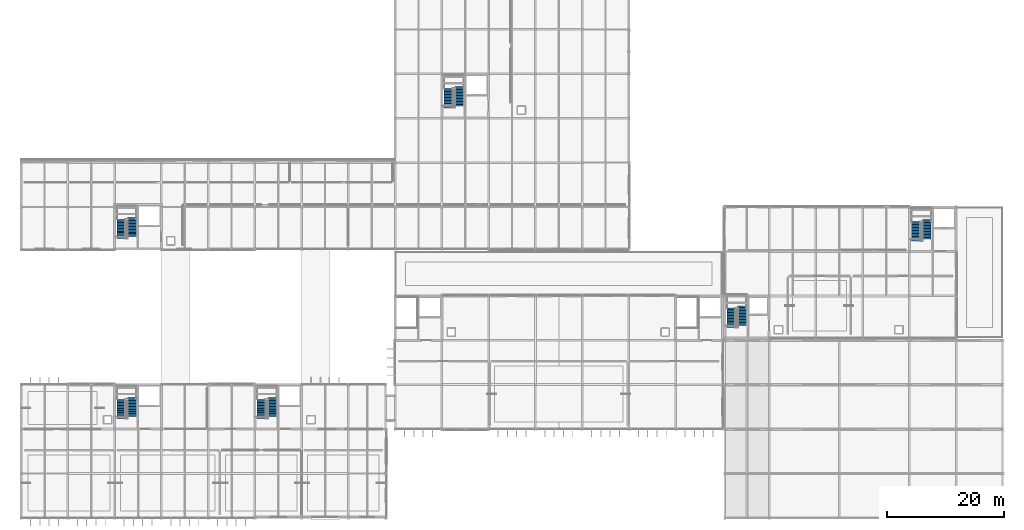
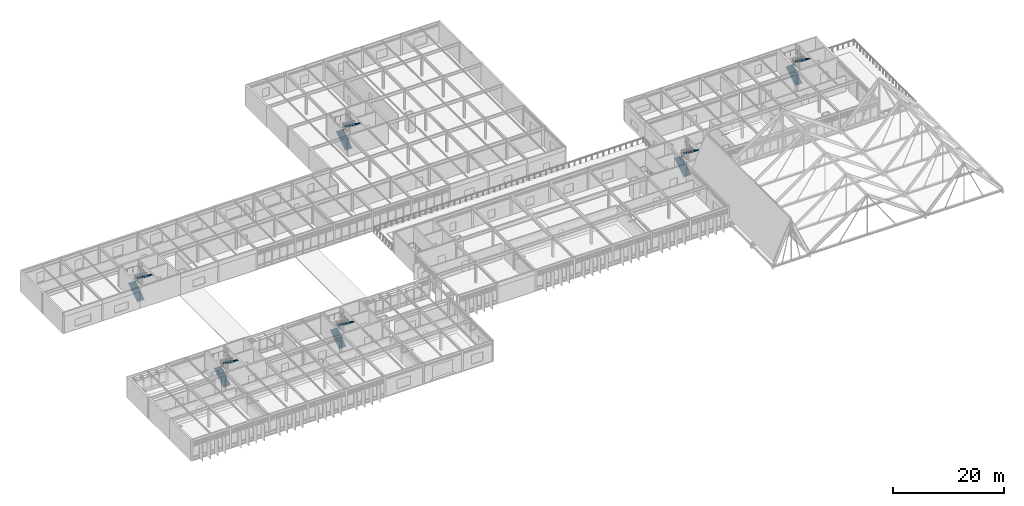
# One storey, part 89 of 100: 12 stair flights, 6 elements without a shape of their own.
"""IFC4 building model written with IfcOpenShell, lengths in metres."""

import ifcopenshell
import ifcopenshell.guid

model = None  # the IFC model being written
_history = None  # IfcOwnerHistory: only IFC2X3 demands one
_inside = {}  # id of a spatial element -> (the spatial element, [elements in it])
_under = {}  # id of a project, library or spatial element -> (it, [spatial elements below it])
_declared = {}  # id of a project -> (the project, [libraries it declares])
_typed = {}  # id of a type object -> (the type object, [elements of that type])
_made_of = {}  # id of a material, layer set ... -> (it, [elements and type objects made of it])


def new_model(schema):
    """Start an empty IFC model of exactly this schema.

    Asked for "IFC4X3", IfcOpenShell would pick the latest addendum, in which some entities
    have other attributes; the version numbers below select the first issue.
    IFC2X3 requires an IfcOwnerHistory on every rooted entity: one is made here for all.
    """
    global model, _history
    if schema == "IFC4X3":
        model = ifcopenshell.file(schema_version=(4, 3, 0, 0))
    else:
        model = ifcopenshell.file(schema=schema)
    _inside.clear()
    _under.clear()
    _declared.clear()
    _typed.clear()
    _made_of.clear()
    _history = None
    if model.schema == "IFC2X3":
        org = make("IfcOrganization", Name="unknown")
        user = make(
            "IfcPersonAndOrganization",
            ThePerson=make("IfcPerson", FamilyName="unknown"),
            TheOrganization=org,
        )
        app = make(
            "IfcApplication",
            ApplicationDeveloper=org,
            Version="unknown",
            ApplicationFullName="unknown",
            ApplicationIdentifier="unknown",
        )
        _history = make(
            "IfcOwnerHistory",
            OwningUser=user,
            OwningApplication=app,
            ChangeAction="ADDED",
            CreationDate=0,
        )
    return model


def make(cls, **values):
    """One entity of the class cls with the attributes given. An attribute that is None is left unset."""
    return model.create_entity(
        cls, **{name: value for name, value in values.items() if value is not None}
    )


def rooted(cls, **values):
    """An entity with a GlobalId (a new one), such as an element, a storey or a relation."""
    return make(cls, GlobalId=ifcopenshell.guid.new(), OwnerHistory=_history, **values)


def si_unit(unit_type, name, prefix=None):
    """IfcSIUnit, for example si_unit("LENGTHUNIT", "METRE", prefix="MILLI")."""
    return make("IfcSIUnit", UnitType=unit_type, Prefix=prefix, Name=name)


def assignment(units):
    """IfcUnitAssignment: the units of a project."""
    return None if units is None else make("IfcUnitAssignment", Units=units)


def point(xyz):
    """IfcCartesianPoint."""
    return None if xyz is None else make("IfcCartesianPoint", Coordinates=xyz)


def direction(xyz):
    """IfcDirection."""
    return None if xyz is None else make("IfcDirection", DirectionRatios=xyz)


def frame(location, z_axis=None, x_axis=None):
    """IfcAxis2Placement3D, a coordinate frame: its origin and axes. An axis left out is left unset."""
    return make(
        "IfcAxis2Placement3D",
        Location=point(location),
        Axis=direction(z_axis),
        RefDirection=direction(x_axis),
    )


def origin():
    """The frame at (0, 0, 0) with its axes left unset."""
    return frame((0.0, 0.0, 0.0))


def place(relative_to, where):
    """IfcLocalPlacement: puts the frame where relative to a parent placement (None: the world)."""
    return make(
        "IfcLocalPlacement", PlacementRelTo=relative_to, RelativePlacement=where
    )


def context(
    kind, dimensions, precision=None, world=None, true_north=None, identifier=None
):
    """IfcGeometricRepresentationContext, for example the 3D "Model" context."""
    return make(
        "IfcGeometricRepresentationContext",
        ContextIdentifier=identifier,
        ContextType=kind,
        CoordinateSpaceDimension=dimensions,
        Precision=precision,
        WorldCoordinateSystem=world,
        TrueNorth=true_north,
    )


def subcontext(parent, identifier, kind, view, scale=None):
    """IfcGeometricRepresentationSubContext, for example "Body" below "Model"."""
    return make(
        "IfcGeometricRepresentationSubContext",
        ContextIdentifier=identifier,
        ContextType=kind,
        ParentContext=parent,
        TargetScale=scale,
        TargetView=view,
    )


def project(units=None, contexts=None):
    """IfcProject with its units and contexts."""
    return rooted(
        "IfcProject",
        Name="project",
        RepresentationContexts=contexts,
        UnitsInContext=assignment(units),
    )


def spatial(cls, under=None, at=None, **own):
    """A site, building, storey or space (cls), placed at a placement, below another one or the project."""
    s = rooted(cls, ObjectPlacement=at, **own)
    if under is not None:
        _under.setdefault(under.id(), (under, []))[1].append(s)
    return s


def polyline(points):
    """IfcPolyline through the points."""
    return make("IfcPolyline", Points=[point(p) for p in points])


def outline(outer, holes=None, kind="AREA"):
    """IfcArbitraryClosedProfileDef: a profile drawn as a closed curve; with holes, ...WithVoids."""
    if holes is None:
        return make("IfcArbitraryClosedProfileDef", ProfileType=kind, OuterCurve=outer)
    return make(
        "IfcArbitraryProfileDefWithVoids",
        ProfileType=kind,
        OuterCurve=outer,
        InnerCurves=holes,
    )


def extrude(swept, where, along, depth):
    """IfcExtrudedAreaSolid: the profile swept, set in the frame where, extruded along a direction by depth."""
    return make(
        "IfcExtrudedAreaSolid",
        SweptArea=swept,
        Position=where,
        ExtrudedDirection=direction(along),
        Depth=depth,
    )


def shape(context_of_items, identifier, shape_type, items):
    """IfcShapeRepresentation: the items that make up one representation, for example the "Body"."""
    return make(
        "IfcShapeRepresentation",
        ContextOfItems=context_of_items,
        RepresentationIdentifier=identifier,
        RepresentationType=shape_type,
        Items=items,
    )


def material(Name=None, Category=None):
    """IfcMaterial."""
    return make("IfcMaterial", Name=Name, Category=Category)


def made_of(thing, what):
    """Note that an element or type object is made of a material, layer set ...; save() writes the relation."""
    if what is not None:
        _made_of.setdefault(what.id(), (what, []))[1].append(thing)
    return thing


def type_object(cls, material=None, **own):
    """A type object (cls), such as IfcWallType, which elements share."""
    return made_of(rooted(cls, **own), material)


def element(
    cls,
    number,
    at=None,
    inside=None,
    cuts=None,
    type_object=None,
    material=None,
    context=None,
    identifier="Body",
    shape_type=None,
    held_by="IfcProductDefinitionShape",
    body=None,
    shapes=None,
    **own,
):
    """One element of the class cls, such as IfcWall. Its Tag is "e" and its number.

    at: its placement. inside: the storey or other place that contains it. cuts: it is an
    opening in that element (IfcRelVoidsElement). A single representation is given by context,
    identifier, shape_type and body (its items); several are given by shapes. held_by: the class
    of the entity that holds the representations. save() writes the other relations.
    """
    e = rooted(cls, Tag="e%d" % number, ObjectPlacement=at, **own)
    if body is not None:
        shapes = [shape(context, identifier, shape_type, body)]
    if shapes is not None:
        e.Representation = make(held_by, Representations=shapes)
    if inside is not None:
        _inside.setdefault(inside.id(), (inside, []))[1].append(e)
    if cuts is not None:
        rooted(
            "IfcRelVoidsElement", RelatingBuildingElement=cuts, RelatedOpeningElement=e
        )
    if type_object is not None:
        _typed.setdefault(type_object.id(), (type_object, []))[1].append(e)
    return made_of(e, material)


def aggregate(whole, parts):
    """IfcRelAggregates: a whole, such as a stair, and the parts it consists of."""
    return rooted("IfcRelAggregates", RelatingObject=whole, RelatedObjects=parts)


def save(model, path):
    """Write the relations noted so far, then the file.

    IfcRelAggregates (storeys below a building ...), IfcRelContainedInSpatialStructure (elements
    in a storey), IfcRelDefinesByType, IfcRelAssociatesMaterial and IfcRelDeclares: one each for
    every whole, place, type object, material and project.
    """
    for whole, parts in _under.values():
        aggregate(whole, parts)
    for where, things in _inside.values():
        rooted(
            "IfcRelContainedInSpatialStructure",
            RelatedElements=things,
            RelatingStructure=where,
        )
    for kind, things in _typed.values():
        rooted("IfcRelDefinesByType", RelatedObjects=things, RelatingType=kind)
    for what, things in _made_of.values():
        rooted("IfcRelAssociatesMaterial", RelatedObjects=things, RelatingMaterial=what)
    for by, libraries in _declared.values():
        rooted("IfcRelDeclares", RelatingContext=by, RelatedDefinitions=libraries)
    model.write(path)


model = new_model("IFC4")

# Units and contexts
model_context = context("Model", 3, precision=1e-05, world=origin(), true_north=direction((0.0, 1.0)))
body_context = subcontext(model_context, "Body", "Model", "MODEL_VIEW")
ifc_project = project(units=[si_unit("LENGTHUNIT", "METRE"), si_unit("AREAUNIT", "SQUARE_METRE"), si_unit("VOLUMEUNIT", "CUBIC_METRE"), si_unit("PLANEANGLEUNIT", "RADIAN"), si_unit("MASSUNIT", "GRAM", prefix="KILO")], contexts=[model_context])

# Site, building, storey
site_placement = place(None, origin())
site = spatial("IfcSite", under=ifc_project, at=site_placement, CompositionType="ELEMENT")
building_placement = place(site_placement, origin())
building = spatial("IfcBuilding", under=site, at=building_placement, Name="Zulena Civic Courthouse", CompositionType="ELEMENT")
storey_placement = place(building_placement, frame((0.0, 0.0, 20.39990234375)))
storey = spatial("IfcBuildingStorey", under=building, at=storey_placement, Name="L04", CompositionType="ELEMENT", Elevation=20.39990234375)

# Stair, stair flights
ifc_material = material(Name="Precast concrete C40/50", Category="concrete")
stair_type = type_object("IfcStairType", Name="HalfTurnStair_4800", PredefinedType="HALF_TURN_STAIR", material=ifc_material)
stair_1_placement = place(storey_placement, origin())
stair_1 = element("IfcStair", 1, at=stair_1_placement, inside=storey, type_object=stair_type, Name="stair:K2A:L04", PredefinedType="HALF_TURN_STAIR")
stair_flight_type = type_object("IfcStairFlightType", Name="StairFlight_4800", PredefinedType="STRAIGHT", material=ifc_material)
stair_flight_1_placement = place(storey_placement, frame((21.1298828125, 16.97998046875, 0.0), z_axis=(0.0, 0.0, 1.0), x_axis=(0.0, 1.0, 0.0)))
stair_flight_1 = element("IfcStairFlight", 2, at=stair_flight_1_placement, type_object=stair_flight_type, Name="stair:K2A:L04:F1", NumberOfRisers=14, NumberOfTreads=13, PredefinedType="STRAIGHT", RiserHeight=0.17143, TreadLength=0.255, context=body_context, shape_type="SweptSolid", body=[
    extrude(outline(polyline([(0.0, 0.0), (0.0, 0.17138671875), (0.2548828125, 0.17138671875), (0.2548828125, 0.3427734375), (0.510009765625, 0.3427734375), (0.510009765625, 0.514404296875), (0.764892578125, 0.514404296875), (0.764892578125, 0.685791015625), (1.02001953125, 0.685791015625), (1.02001953125, 0.857177734375), (1.27490234375, 0.857177734375), (1.27490234375, 1.028564453125), (1.530029296875, 1.028564453125), (1.530029296875, 1.199951171875), (1.784912109375, 1.199951171875), (1.784912109375, 1.371337890625), (2.0400390625, 1.371337890625), (2.0400390625, 1.54296875), (2.294921875, 1.54296875), (2.294921875, 1.71435546875), (2.550048828125, 1.71435546875), (2.550048828125, 1.8857421875), (2.804931640625, 1.8857421875), (2.804931640625, 2.05712890625), (3.06005859375, 2.05712890625), (3.06005859375, 2.228515625), (3.31494140625, 2.228515625), (3.31494140625, 2.39990234375), (3.31494140625, 2.10205078125), (0.188232421875, 0.0), (0.0, 0.0)])), frame((0.0, 0.75, 0.0), z_axis=(0.0, -1.0, 0.0), x_axis=(1.0, 0.0, 0.0)), (0.0, 0.0, 1.0), 1.5),
])
stair_flight_2_placement = place(storey_placement, frame((22.969970703125, 20.634765625, 2.400146484375), z_axis=(0.0, 0.0, 1.0), x_axis=(0.0, -1.0, 0.0)))
stair_flight_2 = element("IfcStairFlight", 3, at=stair_flight_2_placement, type_object=stair_flight_type, Name="stair:K2A:L04:F2", NumberOfRisers=14, NumberOfTreads=13, PredefinedType="STRAIGHT", RiserHeight=0.17143, TreadLength=0.255, context=body_context, shape_type="SweptSolid", body=[
    extrude(outline(polyline([(0.0, 0.0), (0.0, 0.17138671875), (0.2548828125, 0.17138671875), (0.2548828125, 0.3427734375), (0.510009765625, 0.3427734375), (0.510009765625, 0.514404296875), (0.764892578125, 0.514404296875), (0.764892578125, 0.685791015625), (1.02001953125, 0.685791015625), (1.02001953125, 0.857177734375), (1.27490234375, 0.857177734375), (1.27490234375, 1.028564453125), (1.530029296875, 1.028564453125), (1.530029296875, 1.199951171875), (1.784912109375, 1.199951171875), (1.784912109375, 1.371337890625), (2.0400390625, 1.371337890625), (2.0400390625, 1.54296875), (2.294921875, 1.54296875), (2.294921875, 1.71435546875), (2.550048828125, 1.71435546875), (2.550048828125, 1.8857421875), (2.804931640625, 1.8857421875), (2.804931640625, 2.05712890625), (3.06005859375, 2.05712890625), (3.06005859375, 2.228515625), (3.31494140625, 2.228515625), (3.31494140625, 2.39990234375), (3.31494140625, 2.10205078125), (0.188232421875, 0.0), (0.0, 0.0)])), frame((0.0, 0.75, 0.0), z_axis=(0.0, -1.0, 0.0), x_axis=(1.0, 0.0, 0.0)), (0.0, 0.0, 1.0), 1.5),
])
aggregate(stair_1, [stair_flight_1, stair_flight_2])

stair_2_placement = place(storey_placement, origin())
stair_2 = element("IfcStair", 4, at=stair_2_placement, inside=storey, type_object=stair_type, Name="stair:K2B:L04", PredefinedType="HALF_TURN_STAIR")
stair_flight_3_placement = place(storey_placement, frame((45.1298828125, 16.97998046875, 0.0), z_axis=(0.0, 0.0, 1.0), x_axis=(0.0, 1.0, 0.0)))
stair_flight_3 = element("IfcStairFlight", 5, at=stair_flight_3_placement, type_object=stair_flight_type, Name="stair:K2B:L04:F1", NumberOfRisers=14, NumberOfTreads=13, PredefinedType="STRAIGHT", RiserHeight=0.17143, TreadLength=0.255, context=body_context, shape_type="SweptSolid", body=[
    extrude(outline(polyline([(0.0, 0.0), (0.0, 0.17138671875), (0.2548828125, 0.17138671875), (0.2548828125, 0.3427734375), (0.510009765625, 0.3427734375), (0.510009765625, 0.514404296875), (0.764892578125, 0.514404296875), (0.764892578125, 0.685791015625), (1.02001953125, 0.685791015625), (1.02001953125, 0.857177734375), (1.27490234375, 0.857177734375), (1.27490234375, 1.028564453125), (1.530029296875, 1.028564453125), (1.530029296875, 1.199951171875), (1.784912109375, 1.199951171875), (1.784912109375, 1.371337890625), (2.0400390625, 1.371337890625), (2.0400390625, 1.54296875), (2.294921875, 1.54296875), (2.294921875, 1.71435546875), (2.550048828125, 1.71435546875), (2.550048828125, 1.8857421875), (2.804931640625, 1.8857421875), (2.804931640625, 2.05712890625), (3.06005859375, 2.05712890625), (3.06005859375, 2.228515625), (3.31494140625, 2.228515625), (3.31494140625, 2.39990234375), (3.31494140625, 2.10205078125), (0.188232421875, 0.0), (0.0, 0.0)])), frame((0.0, 0.75, 0.0), z_axis=(0.0, -1.0, 0.0), x_axis=(1.0, 0.0, 0.0)), (0.0, 0.0, 1.0), 1.5),
])
stair_flight_4_placement = place(storey_placement, frame((46.969970703125, 20.634765625, 2.400146484375), z_axis=(0.0, 0.0, 1.0), x_axis=(0.0, -1.0, 0.0)))
stair_flight_4 = element("IfcStairFlight", 6, at=stair_flight_4_placement, type_object=stair_flight_type, Name="stair:K2B:L04:F2", NumberOfRisers=14, NumberOfTreads=13, PredefinedType="STRAIGHT", RiserHeight=0.17143, TreadLength=0.255, context=body_context, shape_type="SweptSolid", body=[
    extrude(outline(polyline([(0.0, 0.0), (0.0, 0.17138671875), (0.2548828125, 0.17138671875), (0.2548828125, 0.3427734375), (0.510009765625, 0.3427734375), (0.510009765625, 0.514404296875), (0.764892578125, 0.514404296875), (0.764892578125, 0.685791015625), (1.02001953125, 0.685791015625), (1.02001953125, 0.857177734375), (1.27490234375, 0.857177734375), (1.27490234375, 1.028564453125), (1.530029296875, 1.028564453125), (1.530029296875, 1.199951171875), (1.784912109375, 1.199951171875), (1.784912109375, 1.371337890625), (2.0400390625, 1.371337890625), (2.0400390625, 1.54296875), (2.294921875, 1.54296875), (2.294921875, 1.71435546875), (2.550048828125, 1.71435546875), (2.550048828125, 1.8857421875), (2.804931640625, 1.8857421875), (2.804931640625, 2.05712890625), (3.06005859375, 2.05712890625), (3.06005859375, 2.228515625), (3.31494140625, 2.228515625), (3.31494140625, 2.39990234375), (3.31494140625, 2.10205078125), (0.188232421875, 0.0), (0.0, 0.0)])), frame((0.0, 0.75, 0.0), z_axis=(0.0, -1.0, 0.0), x_axis=(1.0, 0.0, 0.0)), (0.0, 0.0, 1.0), 1.5),
])
aggregate(stair_2, [stair_flight_3, stair_flight_4])

stair_3_placement = place(storey_placement, origin())
stair_3 = element("IfcStair", 7, at=stair_3_placement, inside=storey, type_object=stair_type, Name="stair:K3A:L04", PredefinedType="HALF_TURN_STAIR")
stair_flight_5_placement = place(storey_placement, frame((125.530029296875, 32.580078125, 0.0), z_axis=(0.0, 0.0, 1.0), x_axis=(0.0, 1.0, 0.0)))
stair_flight_5 = element("IfcStairFlight", 8, at=stair_flight_5_placement, type_object=stair_flight_type, Name="stair:K3A:L04:F1", NumberOfRisers=14, NumberOfTreads=13, PredefinedType="STRAIGHT", RiserHeight=0.17143, TreadLength=0.255, context=body_context, shape_type="SweptSolid", body=[
    extrude(outline(polyline([(0.0, 0.0), (0.0, 0.17138671875), (0.2548828125, 0.17138671875), (0.2548828125, 0.3427734375), (0.510009765625, 0.3427734375), (0.510009765625, 0.514404296875), (0.764892578125, 0.514404296875), (0.764892578125, 0.685791015625), (1.02001953125, 0.685791015625), (1.02001953125, 0.857177734375), (1.27490234375, 0.857177734375), (1.27490234375, 1.028564453125), (1.530029296875, 1.028564453125), (1.530029296875, 1.199951171875), (1.784912109375, 1.199951171875), (1.784912109375, 1.371337890625), (2.0400390625, 1.371337890625), (2.0400390625, 1.54296875), (2.294921875, 1.54296875), (2.294921875, 1.71435546875), (2.550048828125, 1.71435546875), (2.550048828125, 1.8857421875), (2.804931640625, 1.8857421875), (2.804931640625, 2.05712890625), (3.06005859375, 2.05712890625), (3.06005859375, 2.228515625), (3.31494140625, 2.228515625), (3.31494140625, 2.39990234375), (3.31494140625, 2.10205078125), (0.188232421875, 0.0), (0.0, 0.0)])), frame((0.0, 0.75, 0.0), z_axis=(0.0, -1.0, 0.0), x_axis=(1.0, 0.0, 0.0)), (0.0, 0.0, 1.0), 1.5),
])
stair_flight_6_placement = place(storey_placement, frame((127.3701171875, 36.234619140625, 2.400146484375), z_axis=(0.0, 0.0, 1.0), x_axis=(0.0, -1.0, 0.0)))
stair_flight_6 = element("IfcStairFlight", 9, at=stair_flight_6_placement, type_object=stair_flight_type, Name="stair:K3A:L04:F2", NumberOfRisers=14, NumberOfTreads=13, PredefinedType="STRAIGHT", RiserHeight=0.17143, TreadLength=0.255, context=body_context, shape_type="SweptSolid", body=[
    extrude(outline(polyline([(0.0, 0.0), (0.0, 0.17138671875), (0.2548828125, 0.17138671875), (0.2548828125, 0.3427734375), (0.510009765625, 0.3427734375), (0.510009765625, 0.514404296875), (0.764892578125, 0.514404296875), (0.764892578125, 0.685791015625), (1.02001953125, 0.685791015625), (1.02001953125, 0.857177734375), (1.27490234375, 0.857177734375), (1.27490234375, 1.028564453125), (1.530029296875, 1.028564453125), (1.530029296875, 1.199951171875), (1.784912109375, 1.199951171875), (1.784912109375, 1.371337890625), (2.0400390625, 1.371337890625), (2.0400390625, 1.54296875), (2.294921875, 1.54296875), (2.294921875, 1.71435546875), (2.550048828125, 1.71435546875), (2.550048828125, 1.8857421875), (2.804931640625, 1.8857421875), (2.804931640625, 2.05712890625), (3.06005859375, 2.05712890625), (3.06005859375, 2.228515625), (3.31494140625, 2.228515625), (3.31494140625, 2.39990234375), (3.31494140625, 2.10205078125), (0.188232421875, 0.0), (0.0, 0.0)])), frame((0.0, 0.75, 0.0), z_axis=(0.0, -1.0, 0.0), x_axis=(1.0, 0.0, 0.0)), (0.0, 0.0, 1.0), 1.5),
])
aggregate(stair_3, [stair_flight_5, stair_flight_6])

stair_4_placement = place(storey_placement, origin())
stair_4 = element("IfcStair", 10, at=stair_4_placement, inside=storey, type_object=stair_type, Name="stair:K3B:L04", PredefinedType="HALF_TURN_STAIR")
stair_flight_7_placement = place(storey_placement, frame((157.1298828125, 47.3798828125, 0.0), z_axis=(0.0, 0.0, 1.0), x_axis=(0.0, 1.0, 0.0)))
stair_flight_7 = element("IfcStairFlight", 11, at=stair_flight_7_placement, type_object=stair_flight_type, Name="stair:K3B:L04:F1", NumberOfRisers=14, NumberOfTreads=13, PredefinedType="STRAIGHT", RiserHeight=0.17143, TreadLength=0.255, context=body_context, shape_type="SweptSolid", body=[
    extrude(outline(polyline([(0.0, 0.0), (0.0, 0.17138671875), (0.2548828125, 0.17138671875), (0.2548828125, 0.3427734375), (0.510009765625, 0.3427734375), (0.510009765625, 0.514404296875), (0.764892578125, 0.514404296875), (0.764892578125, 0.685791015625), (1.02001953125, 0.685791015625), (1.02001953125, 0.857177734375), (1.27490234375, 0.857177734375), (1.27490234375, 1.028564453125), (1.530029296875, 1.028564453125), (1.530029296875, 1.199951171875), (1.784912109375, 1.199951171875), (1.784912109375, 1.371337890625), (2.0400390625, 1.371337890625), (2.0400390625, 1.54296875), (2.294921875, 1.54296875), (2.294921875, 1.71435546875), (2.550048828125, 1.71435546875), (2.550048828125, 1.8857421875), (2.804931640625, 1.8857421875), (2.804931640625, 2.05712890625), (3.06005859375, 2.05712890625), (3.06005859375, 2.228515625), (3.31494140625, 2.228515625), (3.31494140625, 2.39990234375), (3.31494140625, 2.10205078125), (0.188232421875, 0.0), (0.0, 0.0)])), frame((0.0, 0.75, 0.0), z_axis=(0.0, -1.0, 0.0), x_axis=(1.0, 0.0, 0.0)), (0.0, 0.0, 1.0), 1.5),
])
stair_flight_8_placement = place(storey_placement, frame((158.969970703125, 51.03466796875, 2.400146484375), z_axis=(0.0, 0.0, 1.0), x_axis=(0.0, -1.0, 0.0)))
stair_flight_8 = element("IfcStairFlight", 12, at=stair_flight_8_placement, type_object=stair_flight_type, Name="stair:K3B:L04:F2", NumberOfRisers=14, NumberOfTreads=13, PredefinedType="STRAIGHT", RiserHeight=0.17143, TreadLength=0.255, context=body_context, shape_type="SweptSolid", body=[
    extrude(outline(polyline([(0.0, 0.0), (0.0, 0.17138671875), (0.2548828125, 0.17138671875), (0.2548828125, 0.3427734375), (0.510009765625, 0.3427734375), (0.510009765625, 0.514404296875), (0.764892578125, 0.514404296875), (0.764892578125, 0.685791015625), (1.02001953125, 0.685791015625), (1.02001953125, 0.857177734375), (1.27490234375, 0.857177734375), (1.27490234375, 1.028564453125), (1.530029296875, 1.028564453125), (1.530029296875, 1.199951171875), (1.784912109375, 1.199951171875), (1.784912109375, 1.371337890625), (2.0400390625, 1.371337890625), (2.0400390625, 1.54296875), (2.294921875, 1.54296875), (2.294921875, 1.71435546875), (2.550048828125, 1.71435546875), (2.550048828125, 1.8857421875), (2.804931640625, 1.8857421875), (2.804931640625, 2.05712890625), (3.06005859375, 2.05712890625), (3.06005859375, 2.228515625), (3.31494140625, 2.228515625), (3.31494140625, 2.39990234375), (3.31494140625, 2.10205078125), (0.188232421875, 0.0), (0.0, 0.0)])), frame((0.0, 0.75, 0.0), z_axis=(0.0, -1.0, 0.0), x_axis=(1.0, 0.0, 0.0)), (0.0, 0.0, 1.0), 1.5),
])
aggregate(stair_4, [stair_flight_7, stair_flight_8])

stair_5_placement = place(storey_placement, origin())
stair_5 = element("IfcStair", 13, at=stair_5_placement, inside=storey, type_object=stair_type, Name="stair:K5A:L04", PredefinedType="HALF_TURN_STAIR")
stair_flight_9_placement = place(storey_placement, frame((21.1298828125, 47.780029296875, 0.0), z_axis=(0.0, 0.0, 1.0), x_axis=(0.0, 1.0, 0.0)))
stair_flight_9 = element("IfcStairFlight", 14, at=stair_flight_9_placement, type_object=stair_flight_type, Name="stair:K5A:L04:F1", NumberOfRisers=14, NumberOfTreads=13, PredefinedType="STRAIGHT", RiserHeight=0.17143, TreadLength=0.255, context=body_context, shape_type="SweptSolid", body=[
    extrude(outline(polyline([(0.0, 0.0), (0.0, 0.17138671875), (0.2548828125, 0.17138671875), (0.2548828125, 0.3427734375), (0.510009765625, 0.3427734375), (0.510009765625, 0.514404296875), (0.764892578125, 0.514404296875), (0.764892578125, 0.685791015625), (1.02001953125, 0.685791015625), (1.02001953125, 0.857177734375), (1.27490234375, 0.857177734375), (1.27490234375, 1.028564453125), (1.530029296875, 1.028564453125), (1.530029296875, 1.199951171875), (1.784912109375, 1.199951171875), (1.784912109375, 1.371337890625), (2.0400390625, 1.371337890625), (2.0400390625, 1.54296875), (2.294921875, 1.54296875), (2.294921875, 1.71435546875), (2.550048828125, 1.71435546875), (2.550048828125, 1.8857421875), (2.804931640625, 1.8857421875), (2.804931640625, 2.05712890625), (3.06005859375, 2.05712890625), (3.06005859375, 2.228515625), (3.31494140625, 2.228515625), (3.31494140625, 2.39990234375), (3.31494140625, 2.10205078125), (0.188232421875, 0.0), (0.0, 0.0)])), frame((0.0, 0.75, 0.0), z_axis=(0.0, -1.0, 0.0), x_axis=(1.0, 0.0, 0.0)), (0.0, 0.0, 1.0), 1.5),
])
stair_flight_10_placement = place(storey_placement, frame((22.969970703125, 51.434814453125, 2.400146484375), z_axis=(0.0, 0.0, 1.0), x_axis=(0.0, -1.0, 0.0)))
stair_flight_10 = element("IfcStairFlight", 15, at=stair_flight_10_placement, type_object=stair_flight_type, Name="stair:K5A:L04:F2", NumberOfRisers=14, NumberOfTreads=13, PredefinedType="STRAIGHT", RiserHeight=0.17143, TreadLength=0.255, context=body_context, shape_type="SweptSolid", body=[
    extrude(outline(polyline([(0.0, 0.0), (0.0, 0.17138671875), (0.2548828125, 0.17138671875), (0.2548828125, 0.3427734375), (0.510009765625, 0.3427734375), (0.510009765625, 0.514404296875), (0.764892578125, 0.514404296875), (0.764892578125, 0.685791015625), (1.02001953125, 0.685791015625), (1.02001953125, 0.857177734375), (1.27490234375, 0.857177734375), (1.27490234375, 1.028564453125), (1.530029296875, 1.028564453125), (1.530029296875, 1.199951171875), (1.784912109375, 1.199951171875), (1.784912109375, 1.371337890625), (2.0400390625, 1.371337890625), (2.0400390625, 1.54296875), (2.294921875, 1.54296875), (2.294921875, 1.71435546875), (2.550048828125, 1.71435546875), (2.550048828125, 1.8857421875), (2.804931640625, 1.8857421875), (2.804931640625, 2.05712890625), (3.06005859375, 2.05712890625), (3.06005859375, 2.228515625), (3.31494140625, 2.228515625), (3.31494140625, 2.39990234375), (3.31494140625, 2.10205078125), (0.188232421875, 0.0), (0.0, 0.0)])), frame((0.0, 0.75, 0.0), z_axis=(0.0, -1.0, 0.0), x_axis=(1.0, 0.0, 0.0)), (0.0, 0.0, 1.0), 1.5),
])
aggregate(stair_5, [stair_flight_9, stair_flight_10])

stair_6_placement = place(storey_placement, origin())
stair_6 = element("IfcStair", 16, at=stair_6_placement, inside=storey, type_object=stair_type, Name="stair:K5B:L04", PredefinedType="HALF_TURN_STAIR")
stair_flight_11_placement = place(storey_placement, frame((77.1298828125, 70.179931640625, 0.0), z_axis=(0.0, 0.0, 1.0), x_axis=(0.0, 1.0, 0.0)))
stair_flight_11 = element("IfcStairFlight", 17, at=stair_flight_11_placement, type_object=stair_flight_type, Name="stair:K5B:L04:F1", NumberOfRisers=14, NumberOfTreads=13, PredefinedType="STRAIGHT", RiserHeight=0.17143, TreadLength=0.255, context=body_context, shape_type="SweptSolid", body=[
    extrude(outline(polyline([(0.0, 0.0), (0.0, 0.17138671875), (0.2548828125, 0.17138671875), (0.2548828125, 0.3427734375), (0.510009765625, 0.3427734375), (0.510009765625, 0.514404296875), (0.764892578125, 0.514404296875), (0.764892578125, 0.685791015625), (1.02001953125, 0.685791015625), (1.02001953125, 0.857177734375), (1.27490234375, 0.857177734375), (1.27490234375, 1.028564453125), (1.530029296875, 1.028564453125), (1.530029296875, 1.199951171875), (1.784912109375, 1.199951171875), (1.784912109375, 1.371337890625), (2.0400390625, 1.371337890625), (2.0400390625, 1.54296875), (2.294921875, 1.54296875), (2.294921875, 1.71435546875), (2.550048828125, 1.71435546875), (2.550048828125, 1.8857421875), (2.804931640625, 1.8857421875), (2.804931640625, 2.05712890625), (3.06005859375, 2.05712890625), (3.06005859375, 2.228515625), (3.31494140625, 2.228515625), (3.31494140625, 2.39990234375), (3.31494140625, 2.10205078125), (0.188232421875, 0.0), (0.0, 0.0)])), frame((0.0, 0.75, 0.0), z_axis=(0.0, -1.0, 0.0), x_axis=(1.0, 0.0, 0.0)), (0.0, 0.0, 1.0), 1.5),
])
stair_flight_12_placement = place(storey_placement, frame((78.969970703125, 73.834716796875, 2.400146484375), z_axis=(0.0, 0.0, 1.0), x_axis=(0.0, -1.0, 0.0)))
stair_flight_12 = element("IfcStairFlight", 18, at=stair_flight_12_placement, type_object=stair_flight_type, Name="stair:K5B:L04:F2", NumberOfRisers=14, NumberOfTreads=13, PredefinedType="STRAIGHT", RiserHeight=0.17143, TreadLength=0.255, context=body_context, shape_type="SweptSolid", body=[
    extrude(outline(polyline([(0.0, 0.0), (0.0, 0.17138671875), (0.2548828125, 0.17138671875), (0.2548828125, 0.3427734375), (0.510009765625, 0.3427734375), (0.510009765625, 0.514404296875), (0.764892578125, 0.514404296875), (0.764892578125, 0.685791015625), (1.02001953125, 0.685791015625), (1.02001953125, 0.857177734375), (1.27490234375, 0.857177734375), (1.27490234375, 1.028564453125), (1.530029296875, 1.028564453125), (1.530029296875, 1.199951171875), (1.784912109375, 1.199951171875), (1.784912109375, 1.371337890625), (2.0400390625, 1.371337890625), (2.0400390625, 1.54296875), (2.294921875, 1.54296875), (2.294921875, 1.71435546875), (2.550048828125, 1.71435546875), (2.550048828125, 1.8857421875), (2.804931640625, 1.8857421875), (2.804931640625, 2.05712890625), (3.06005859375, 2.05712890625), (3.06005859375, 2.228515625), (3.31494140625, 2.228515625), (3.31494140625, 2.39990234375), (3.31494140625, 2.10205078125), (0.188232421875, 0.0), (0.0, 0.0)])), frame((0.0, 0.75, 0.0), z_axis=(0.0, -1.0, 0.0), x_axis=(1.0, 0.0, 0.0)), (0.0, 0.0, 1.0), 1.5),
])
aggregate(stair_6, [stair_flight_11, stair_flight_12])

save(model, "model.ifc")
